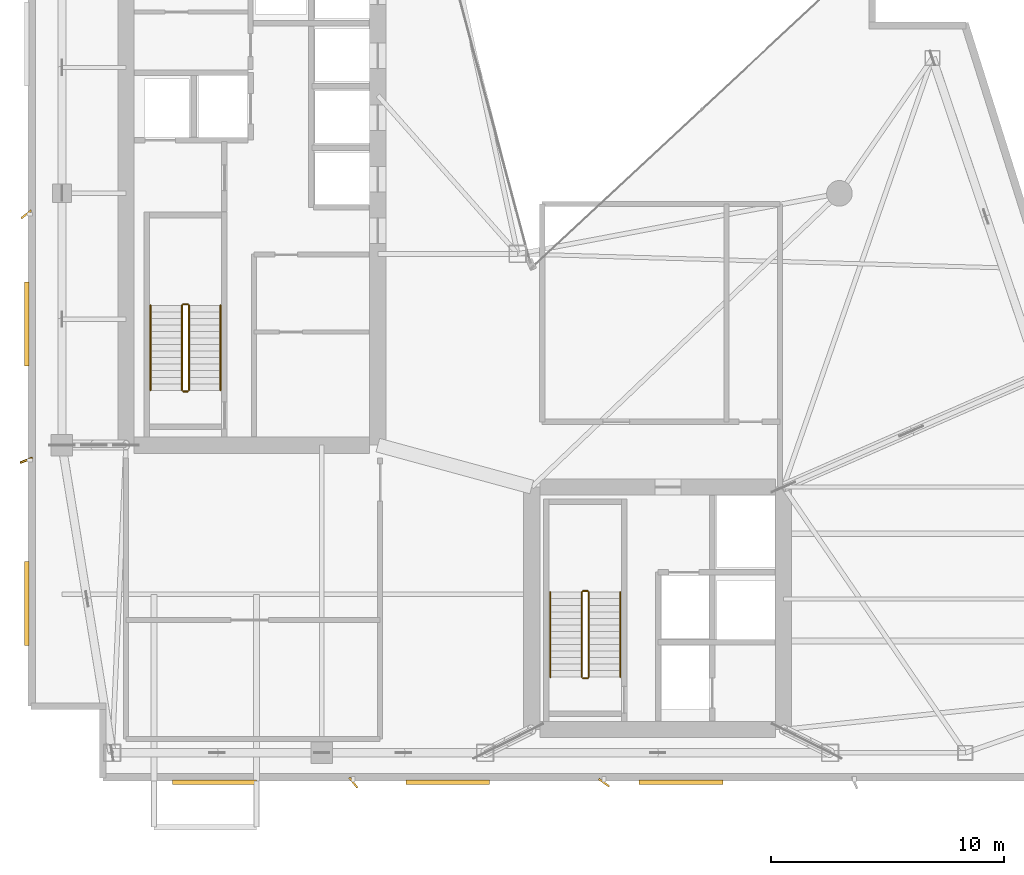
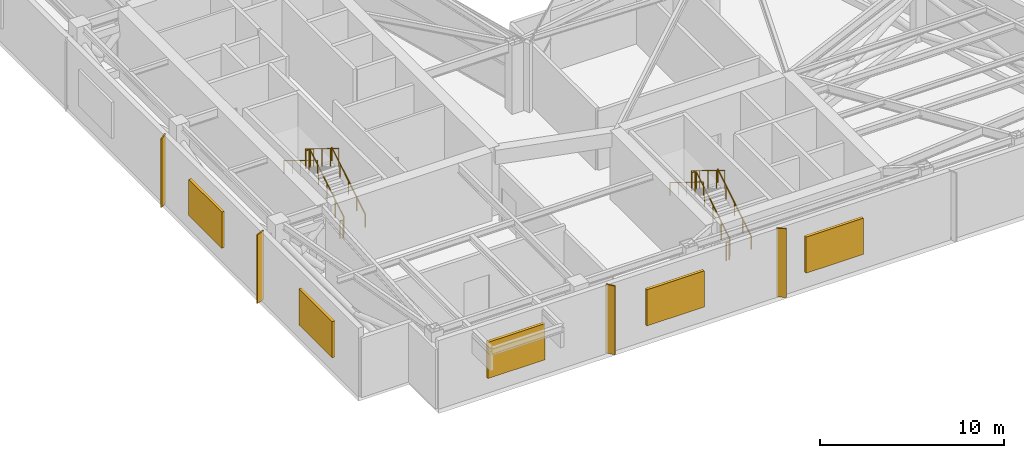
# One storey, part 15 of 16: 12 railings, 9 shading devices.
"""IFC4 building model written with IfcOpenShell, lengths in metres."""

from ifc_helpers import new_model, si_unit, direction, frame, origin, origin_2d, place, context, subcontext, project, spatial, rectangle, circle, extrude, material, type_object, element, save


model = new_model("IFC4")

# Units and contexts
model_context = context("Model", 3, precision=1e-05, world=origin(), true_north=direction((0.0, 1.0)))
body_context = subcontext(model_context, "Body", "Model", "MODEL_VIEW")
ifc_project = project(units=[si_unit("LENGTHUNIT", "METRE"), si_unit("AREAUNIT", "SQUARE_METRE"), si_unit("VOLUMEUNIT", "CUBIC_METRE"), si_unit("PLANEANGLEUNIT", "RADIAN"), si_unit("MASSUNIT", "GRAM", prefix="KILO")], contexts=[model_context])

# Site, building, storey
site_placement = place(None, origin())
site = spatial("IfcSite", under=ifc_project, at=site_placement, CompositionType="ELEMENT")
building_placement = place(site_placement, origin())
building = spatial("IfcBuilding", under=site, at=building_placement, Name="Calvorn Quay Hotel", CompositionType="ELEMENT")
storey_placement = place(building_placement, frame((0.0, 0.0, 234.5)))
storey = spatial("IfcBuildingStorey", under=building, at=storey_placement, Name="L58", CompositionType="ELEMENT", Elevation=234.5)

# Railings
ifc_material_1 = material(Name="Brushed Stainless Steel Handrail", Category="steel")
railing_type_1 = type_object("IfcRailingType", Name="RLG-HANDRAIL-900", PredefinedType="HANDRAIL", material=ifc_material_1)
railing_1_placement = place(storey_placement, frame((8.25, 19.14990234375, 0.17138671875)))
element("IfcRailing", 1, at=railing_1_placement, inside=storey, type_object=railing_type_1, Name="L58 ST-W stair handrail 1", PredefinedType="HANDRAIL", context=body_context, shape_type="SweptSolid", body=[
    extrude(circle(Radius=0.02392578125, at=origin_2d()), frame((0.0, 0.0, 0.8759765625), z_axis=(0.0, 0.852865859571, 0.52213008492), x_axis=(-1.0, 0.0, 0.0)), (0.0, 0.0, 1.0), 4.26806640625),
    extrude(circle(Radius=0.02099609375, at=origin_2d()), origin(), (0.0, 0.0, 1.0), 0.851806640625),
    extrude(circle(Radius=0.02099609375, at=origin_2d()), frame((0.0, 0.91015625, 0.55712890625)), (0.0, 0.0, 1.0), 0.851806640625),
    extrude(circle(Radius=0.02099609375, at=origin_2d()), frame((0.0, 1.820068359375, 1.1142578125)), (0.0, 0.0, 1.0), 0.851806640625),
    extrude(circle(Radius=0.02099609375, at=origin_2d()), frame((0.0, 2.72998046875, 1.67138671875)), (0.0, 0.0, 1.0), 0.851806640625),
    extrude(circle(Radius=0.02099609375, at=origin_2d()), frame((0.0, 3.64013671875, 2.228515625)), (0.0, 0.0, 1.0), 0.851806640625),
])
railing_2_placement = place(storey_placement, frame((5.25, 22.7900390625, 2.571533203125)))
element("IfcRailing", 2, at=railing_2_placement, inside=storey, type_object=railing_type_1, Name="L58 ST-W stair handrail 2", PredefinedType="HANDRAIL", context=body_context, shape_type="SweptSolid", body=[
    extrude(circle(Radius=0.02392578125, at=origin_2d()), frame((0.0, 0.0, 0.8759765625), z_axis=(0.0, -0.852865859571, 0.52213008492), x_axis=(1.0, 0.0, 0.0)), (0.0, 0.0, 1.0), 4.26806640625),
    extrude(circle(Radius=0.02099609375, at=origin_2d()), origin(), (0.0, 0.0, 1.0), 0.851806640625),
    extrude(circle(Radius=0.02099609375, at=origin_2d()), frame((0.0, -0.91015625, 0.55712890625)), (0.0, 0.0, 1.0), 0.851806640625),
    extrude(circle(Radius=0.02099609375, at=origin_2d()), frame((0.0, -1.820068359375, 1.1142578125)), (0.0, 0.0, 1.0), 0.851806640625),
    extrude(circle(Radius=0.02099609375, at=origin_2d()), frame((0.0, -2.72998046875, 1.67138671875)), (0.0, 0.0, 1.0), 0.851806640625),
    extrude(circle(Radius=0.02099609375, at=origin_2d()), frame((0.0, -3.64013671875, 2.228515625)), (0.0, 0.0, 1.0), 0.851806640625),
])
railing_3_placement = place(storey_placement, frame((25.39990234375, 6.85009765625, 0.17138671875)))
element("IfcRailing", 3, at=railing_3_placement, inside=storey, type_object=railing_type_1, Name="L58 ST-E stair handrail 1", PredefinedType="HANDRAIL", context=body_context, shape_type="SweptSolid", body=[
    extrude(circle(Radius=0.02392578125, at=origin_2d()), frame((0.0, 0.0, 0.8759765625), z_axis=(0.0, 0.852850264322, 0.5221555579), x_axis=(-1.0, 0.0, 0.0)), (0.0, 0.0, 1.0), 4.267822265625),
    extrude(circle(Radius=0.02099609375, at=origin_2d()), origin(), (0.0, 0.0, 1.0), 0.851806640625),
    extrude(circle(Radius=0.02099609375, at=origin_2d()), frame((0.0, 0.909912109375, 0.55712890625)), (0.0, 0.0, 1.0), 0.851806640625),
    extrude(circle(Radius=0.02099609375, at=origin_2d()), frame((0.0, 1.81982421875, 1.1142578125)), (0.0, 0.0, 1.0), 0.851806640625),
    extrude(circle(Radius=0.02099609375, at=origin_2d()), frame((0.0, 2.72998046875, 1.67138671875)), (0.0, 0.0, 1.0), 0.851806640625),
    extrude(circle(Radius=0.02099609375, at=origin_2d()), frame((0.0, 3.639892578125, 2.228515625)), (0.0, 0.0, 1.0), 0.851806640625),
])
railing_4_placement = place(storey_placement, frame((22.39990234375, 10.489990234375, 2.571533203125)))
element("IfcRailing", 4, at=railing_4_placement, inside=storey, type_object=railing_type_1, Name="L58 ST-E stair handrail 2", PredefinedType="HANDRAIL", context=body_context, shape_type="SweptSolid", body=[
    extrude(circle(Radius=0.02392578125, at=origin_2d()), frame((0.0, 0.0, 0.8759765625), z_axis=(0.0, -0.852850264322, 0.5221555579), x_axis=(1.0, 0.0, 0.0)), (0.0, 0.0, 1.0), 4.267822265625),
    extrude(circle(Radius=0.02099609375, at=origin_2d()), origin(), (0.0, 0.0, 1.0), 0.851806640625),
    extrude(circle(Radius=0.02099609375, at=origin_2d()), frame((0.0, -0.909912109375, 0.55712890625)), (0.0, 0.0, 1.0), 0.851806640625),
    extrude(circle(Radius=0.02099609375, at=origin_2d()), frame((0.0, -1.81982421875, 1.1142578125)), (0.0, 0.0, 1.0), 0.851806640625),
    extrude(circle(Radius=0.02099609375, at=origin_2d()), frame((0.0, -2.72998046875, 1.67138671875)), (0.0, 0.0, 1.0), 0.851806640625),
    extrude(circle(Radius=0.02099609375, at=origin_2d()), frame((0.0, -3.639892578125, 2.228515625)), (0.0, 0.0, 1.0), 0.851806640625),
])
ifc_material_2 = material(Name="Painted Galvanised Steel Balustrade", Category="steel")
railing_type_2 = type_object("IfcRailingType", Name="RLG-STAIR-GUARD-1120", PredefinedType="GUARDRAIL", material=ifc_material_2)
railing_5_placement = place(storey_placement, frame((6.89990234375, 19.14990234375, 0.17138671875)))
element("IfcRailing", 5, at=railing_5_placement, inside=storey, type_object=railing_type_2, Name="L58 ST-W stair guard 1", PredefinedType="GUARDRAIL", context=body_context, shape_type="SweptSolid", body=[
    extrude(circle(Radius=0.02392578125, at=origin_2d()), frame((0.0, 0.0, 1.17578125), z_axis=(0.0, 0.852865859571, 0.52213008492), x_axis=(-1.0, 0.0, 0.0)), (0.0, 0.0, 1.0), 4.26806640625),
    extrude(circle(Radius=0.02099609375, at=origin_2d()), origin(), (0.0, 0.0, 1.0), 1.15185546875),
    extrude(circle(Radius=0.02099609375, at=origin_2d()), frame((0.0, 0.91015625, 0.55712890625)), (0.0, 0.0, 1.0), 1.15185546875),
    extrude(circle(Radius=0.02099609375, at=origin_2d()), frame((0.0, 1.820068359375, 1.1142578125)), (0.0, 0.0, 1.0), 1.15185546875),
    extrude(circle(Radius=0.02099609375, at=origin_2d()), frame((0.0, 2.72998046875, 1.67138671875)), (0.0, 0.0, 1.0), 1.15185546875),
    extrude(circle(Radius=0.02099609375, at=origin_2d()), frame((0.0, 3.64013671875, 2.228515625)), (0.0, 0.0, 1.0), 1.15185546875),
])
railing_6_placement = place(storey_placement, frame((6.85009765625, 22.840087890625, 2.39990234375)))
element("IfcRailing", 6, at=railing_6_placement, inside=storey, type_object=railing_type_2, Name="L58 ST-W stair guard 2", PredefinedType="GUARDRAIL", context=body_context, shape_type="SweptSolid", body=[
    extrude(circle(Radius=0.02392578125, at=origin_2d()), frame((0.0, 0.0, 1.17578125), z_axis=(-1.0, 0.0, 0.0), x_axis=(0.0, -1.0, 0.0)), (0.0, 0.0, 1.0), 0.2001953125),
    extrude(circle(Radius=0.02099609375, at=origin_2d()), origin(), (0.0, 0.0, 1.0), 1.15185546875),
    extrude(circle(Radius=0.02099609375, at=origin_2d()), frame((-0.2001953125, 0.0, 0.0)), (0.0, 0.0, 1.0), 1.15185546875),
])
railing_7_placement = place(storey_placement, frame((6.60009765625, 22.7900390625, 2.571533203125)))
element("IfcRailing", 7, at=railing_7_placement, inside=storey, type_object=railing_type_2, Name="L58 ST-W stair guard 3", PredefinedType="GUARDRAIL", context=body_context, shape_type="SweptSolid", body=[
    extrude(circle(Radius=0.02392578125, at=origin_2d()), frame((0.0, 0.0, 1.17578125), z_axis=(0.0, -0.852865859571, 0.52213008492), x_axis=(1.0, 0.0, 0.0)), (0.0, 0.0, 1.0), 4.26806640625),
    extrude(circle(Radius=0.02099609375, at=origin_2d()), origin(), (0.0, 0.0, 1.0), 1.15185546875),
    extrude(circle(Radius=0.02099609375, at=origin_2d()), frame((0.0, -0.91015625, 0.55712890625)), (0.0, 0.0, 1.0), 1.15185546875),
    extrude(circle(Radius=0.02099609375, at=origin_2d()), frame((0.0, -1.820068359375, 1.1142578125)), (0.0, 0.0, 1.0), 1.15185546875),
    extrude(circle(Radius=0.02099609375, at=origin_2d()), frame((0.0, -2.72998046875, 1.67138671875)), (0.0, 0.0, 1.0), 1.15185546875),
    extrude(circle(Radius=0.02099609375, at=origin_2d()), frame((0.0, -3.64013671875, 2.228515625)), (0.0, 0.0, 1.0), 1.15185546875),
])
railing_8_placement = place(storey_placement, frame((6.85009765625, 19.10009765625, 0.0)))
element("IfcRailing", 8, at=railing_8_placement, inside=storey, type_object=railing_type_2, Name="L58 ST-W stair guard 4", PredefinedType="GUARDRAIL", context=body_context, shape_type="SweptSolid", body=[
    extrude(circle(Radius=0.02392578125, at=origin_2d()), frame((0.0, 0.0, 1.17578125), z_axis=(-1.0, 0.0, 0.0), x_axis=(0.0, -1.0, 0.0)), (0.0, 0.0, 1.0), 0.2001953125),
    extrude(circle(Radius=0.02099609375, at=origin_2d()), origin(), (0.0, 0.0, 1.0), 1.15185546875),
    extrude(circle(Radius=0.02099609375, at=origin_2d()), frame((-0.2001953125, 0.0, 0.0)), (0.0, 0.0, 1.0), 1.15185546875),
])
railing_9_placement = place(storey_placement, frame((24.050048828125, 6.85009765625, 0.17138671875)))
element("IfcRailing", 9, at=railing_9_placement, inside=storey, type_object=railing_type_2, Name="L58 ST-E stair guard 1", PredefinedType="GUARDRAIL", context=body_context, shape_type="SweptSolid", body=[
    extrude(circle(Radius=0.02392578125, at=origin_2d()), frame((0.0, 0.0, 1.17578125), z_axis=(0.0, 0.852850264322, 0.5221555579), x_axis=(-1.0, 0.0, 0.0)), (0.0, 0.0, 1.0), 4.267822265625),
    extrude(circle(Radius=0.02099609375, at=origin_2d()), origin(), (0.0, 0.0, 1.0), 1.15185546875),
    extrude(circle(Radius=0.02099609375, at=origin_2d()), frame((0.0, 0.909912109375, 0.55712890625)), (0.0, 0.0, 1.0), 1.15185546875),
    extrude(circle(Radius=0.02099609375, at=origin_2d()), frame((0.0, 1.81982421875, 1.1142578125)), (0.0, 0.0, 1.0), 1.15185546875),
    extrude(circle(Radius=0.02099609375, at=origin_2d()), frame((0.0, 2.72998046875, 1.67138671875)), (0.0, 0.0, 1.0), 1.15185546875),
    extrude(circle(Radius=0.02099609375, at=origin_2d()), frame((0.0, 3.639892578125, 2.228515625)), (0.0, 0.0, 1.0), 1.15185546875),
])
railing_10_placement = place(storey_placement, frame((24.0, 10.5400390625, 2.39990234375)))
element("IfcRailing", 10, at=railing_10_placement, inside=storey, type_object=railing_type_2, Name="L58 ST-E stair guard 2", PredefinedType="GUARDRAIL", context=body_context, shape_type="SweptSolid", body=[
    extrude(circle(Radius=0.02392578125, at=origin_2d()), frame((0.0, 0.0, 1.17578125), z_axis=(-1.0, 0.0, 0.0), x_axis=(0.0, -1.0, 0.0)), (0.0, 0.0, 1.0), 0.199951171875),
    extrude(circle(Radius=0.02099609375, at=origin_2d()), origin(), (0.0, 0.0, 1.0), 1.15185546875),
    extrude(circle(Radius=0.02099609375, at=origin_2d()), frame((-0.199951171875, 0.0, 0.0)), (0.0, 0.0, 1.0), 1.15185546875),
])
railing_11_placement = place(storey_placement, frame((23.75, 10.489990234375, 2.571533203125)))
element("IfcRailing", 11, at=railing_11_placement, inside=storey, type_object=railing_type_2, Name="L58 ST-E stair guard 3", PredefinedType="GUARDRAIL", context=body_context, shape_type="SweptSolid", body=[
    extrude(circle(Radius=0.02392578125, at=origin_2d()), frame((0.0, 0.0, 1.17578125), z_axis=(0.0, -0.852850264322, 0.5221555579), x_axis=(1.0, 0.0, 0.0)), (0.0, 0.0, 1.0), 4.267822265625),
    extrude(circle(Radius=0.02099609375, at=origin_2d()), origin(), (0.0, 0.0, 1.0), 1.15185546875),
    extrude(circle(Radius=0.02099609375, at=origin_2d()), frame((0.0, -0.909912109375, 0.55712890625)), (0.0, 0.0, 1.0), 1.15185546875),
    extrude(circle(Radius=0.02099609375, at=origin_2d()), frame((0.0, -1.81982421875, 1.1142578125)), (0.0, 0.0, 1.0), 1.15185546875),
    extrude(circle(Radius=0.02099609375, at=origin_2d()), frame((0.0, -2.72998046875, 1.67138671875)), (0.0, 0.0, 1.0), 1.15185546875),
    extrude(circle(Radius=0.02099609375, at=origin_2d()), frame((0.0, -3.639892578125, 2.228515625)), (0.0, 0.0, 1.0), 1.15185546875),
])
railing_12_placement = place(storey_placement, frame((24.0, 6.800048828125, 0.0)))
element("IfcRailing", 12, at=railing_12_placement, inside=storey, type_object=railing_type_2, Name="L58 ST-E stair guard 4", PredefinedType="GUARDRAIL", context=body_context, shape_type="SweptSolid", body=[
    extrude(circle(Radius=0.02392578125, at=origin_2d()), frame((0.0, 0.0, 1.17578125), z_axis=(-1.0, 0.0, 0.0), x_axis=(0.0, -1.0, 0.0)), (0.0, 0.0, 1.0), 0.199951171875),
    extrude(circle(Radius=0.02099609375, at=origin_2d()), origin(), (0.0, 0.0, 1.0), 1.15185546875),
    extrude(circle(Radius=0.02099609375, at=origin_2d()), frame((-0.199951171875, 0.0, 0.0)), (0.0, 0.0, 1.0), 1.15185546875),
])

# Shading devices
ifc_material_3 = material(Name="Champagne Bronze Anodised Aluminium 6063-T6", Category="aluminium")
shading_device_type_1 = type_object("IfcShadingDeviceType", Name="SHD-FIN-A1", PredefinedType="USERDEFINED", material=ifc_material_3)
shading_device_1_placement = place(storey_placement, frame((-0.080078125, 16.14990234375, 0.0), z_axis=(0.0, 0.0, 1.0), x_axis=(0.927183854567, 0.374606593416, 0.0)))
element("IfcShadingDevice", 13, at=shading_device_1_placement, inside=storey, type_object=shading_device_type_1, Name="Diagonal Sun-Shading Fin L58-W01", ObjectType="FIN", PredefinedType="USERDEFINED", context=body_context, shape_type="SweptSolid", body=[
    extrude(rectangle(XDim=0.550048828125, YDim=0.080078125, at=origin_2d()), origin(), (0.0, 0.0, 1.0), 4.56005859375),
])
ifc_material_4 = material(Name="Champagne Bronze Anodised Aluminium 6063-T6", Category="aluminium")
shading_device_type_2 = type_object("IfcShadingDeviceType", Name="SHD-FIN-A2", PredefinedType="USERDEFINED", material=ifc_material_4)
for number, where, z_axis, x_axis, name in (
    (14, (-0.080078125, 26.699951171875, 0.0), (0.0, 0.0, 1.0), (0.788010753607, 0.615661475326, 0.0), "Diagonal Sun-Shading Fin L58-W02"),
    (15, (13.949951171875, 2.320068359375, 0.0), (0.0, 0.0, 1.0), (-0.615661475326, 0.788010753607, 0.0), "Diagonal Sun-Shading Fin L58-S01"),
):
    element("IfcShadingDevice", number, at=place(storey_placement, frame(where, z_axis=z_axis, x_axis=x_axis)), inside=storey, type_object=shading_device_type_2, Name=name, ObjectType="FIN", PredefinedType="USERDEFINED", context=body_context, shape_type="SweptSolid", body=[
        extrude(rectangle(XDim=0.550048828125, YDim=0.080078125, at=origin_2d()), origin(), (0.0, 0.0, 1.0), 4.56005859375),
    ])
ifc_material_5 = material(Name="Champagne Bronze Anodised Aluminium 6063-T6", Category="aluminium")
shading_device_type_3 = type_object("IfcShadingDeviceType", Name="SHD-FIN-A3", PredefinedType="USERDEFINED", material=ifc_material_5)
shading_device_2_placement = place(storey_placement, frame((24.699951171875, 2.320068359375, 0.0), z_axis=(0.0, 0.0, 1.0), x_axis=(-0.809016994375, 0.587785252292, 0.0)))
element("IfcShadingDevice", 16, at=shading_device_2_placement, inside=storey, type_object=shading_device_type_3, Name="Diagonal Sun-Shading Fin L58-S02", ObjectType="FIN", PredefinedType="USERDEFINED", context=body_context, shape_type="SweptSolid", body=[
    extrude(rectangle(XDim=0.550048828125, YDim=0.080078125, at=origin_2d()), origin(), (0.0, 0.0, 1.0), 4.56005859375),
])
ifc_material_6 = material(Name="Anodised Aluminium 6063-T6", Category="aluminium")
shading_device_type_4 = type_object("IfcShadingDeviceType", Name="SHD-MECH-LOUVRE", PredefinedType="USERDEFINED", material=ifc_material_6)
for number, where, z_axis, x_axis, name in (
    (17, (-0.06005859375, 10.0, 1.080078125), (0.0, 0.0, 1.0), (1.0, 0.0, 0.0), "Refuge Stormproof Intake Louvre L58-W1"),
    (18, (-0.06005859375, 22.0, 1.080078125), (0.0, 0.0, 1.0), (1.0, 0.0, 0.0), "Refuge Stormproof Intake Louvre L58-W2"),
):
    element("IfcShadingDevice", number, at=place(storey_placement, frame(where, z_axis=z_axis, x_axis=x_axis)), inside=storey, type_object=shading_device_type_4, Name=name, ObjectType="LOUVRE", PredefinedType="USERDEFINED", context=body_context, shape_type="SweptSolid", body=[
        extrude(rectangle(XDim=0.179931640625, YDim=3.60009765625, at=origin_2d()), origin(), (0.0, 0.0, 1.0), 2.39990234375),
    ])
for number, where, z_axis, x_axis, name in (
    (19, (8.0, 2.340087890625, 1.080078125), (0.0, 0.0, 1.0), (1.0, 0.0, 0.0), "Refuge Exhaust Louvre L58-S1"),
    (20, (18.0, 2.340087890625, 1.080078125), (0.0, 0.0, 1.0), (1.0, 0.0, 0.0), "Refuge Exhaust Louvre L58-S2"),
    (21, (28.0, 2.340087890625, 1.080078125), (0.0, 0.0, 1.0), (1.0, 0.0, 0.0), "Refuge Exhaust Louvre L58-S3"),
):
    element("IfcShadingDevice", number, at=place(storey_placement, frame(where, z_axis=z_axis, x_axis=x_axis)), inside=storey, type_object=shading_device_type_4, Name=name, ObjectType="LOUVRE", PredefinedType="USERDEFINED", context=body_context, shape_type="SweptSolid", body=[
        extrude(rectangle(XDim=3.60009765625, YDim=0.179931640625, at=origin_2d()), origin(), (0.0, 0.0, 1.0), 2.39990234375),
    ])

save(model, "model.ifc")
